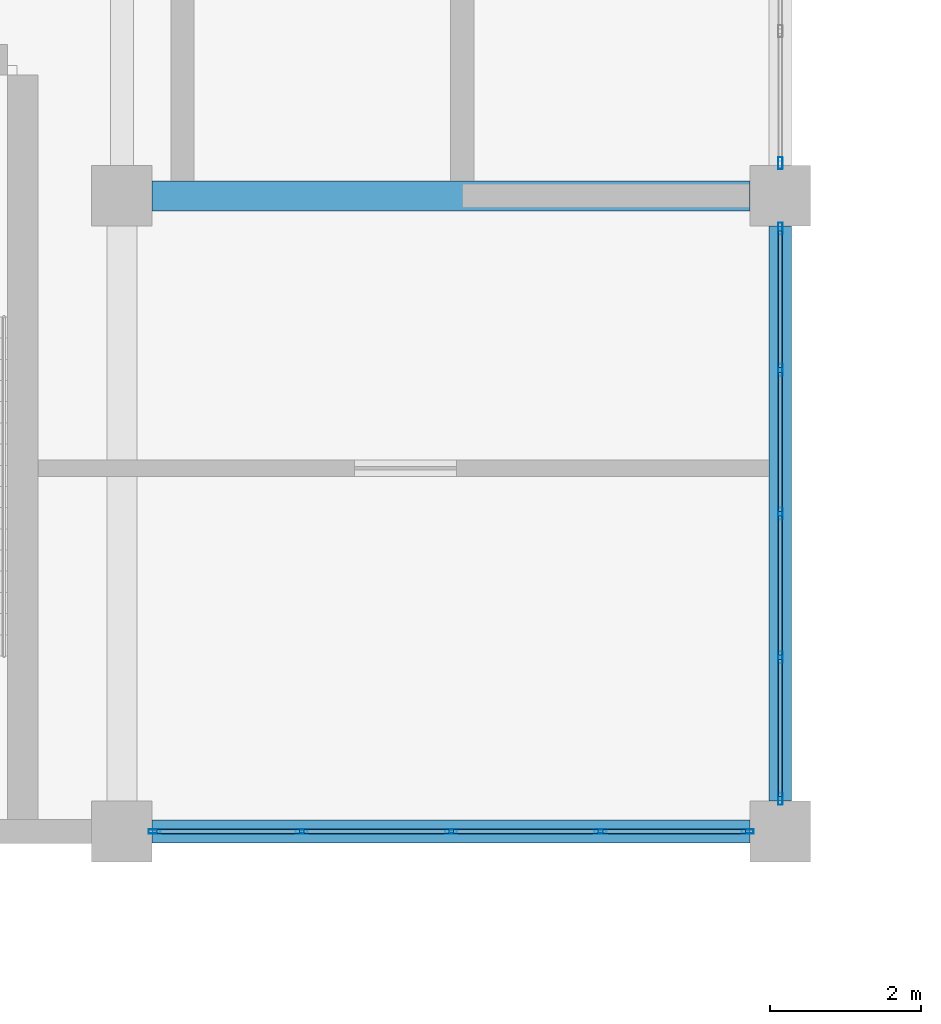
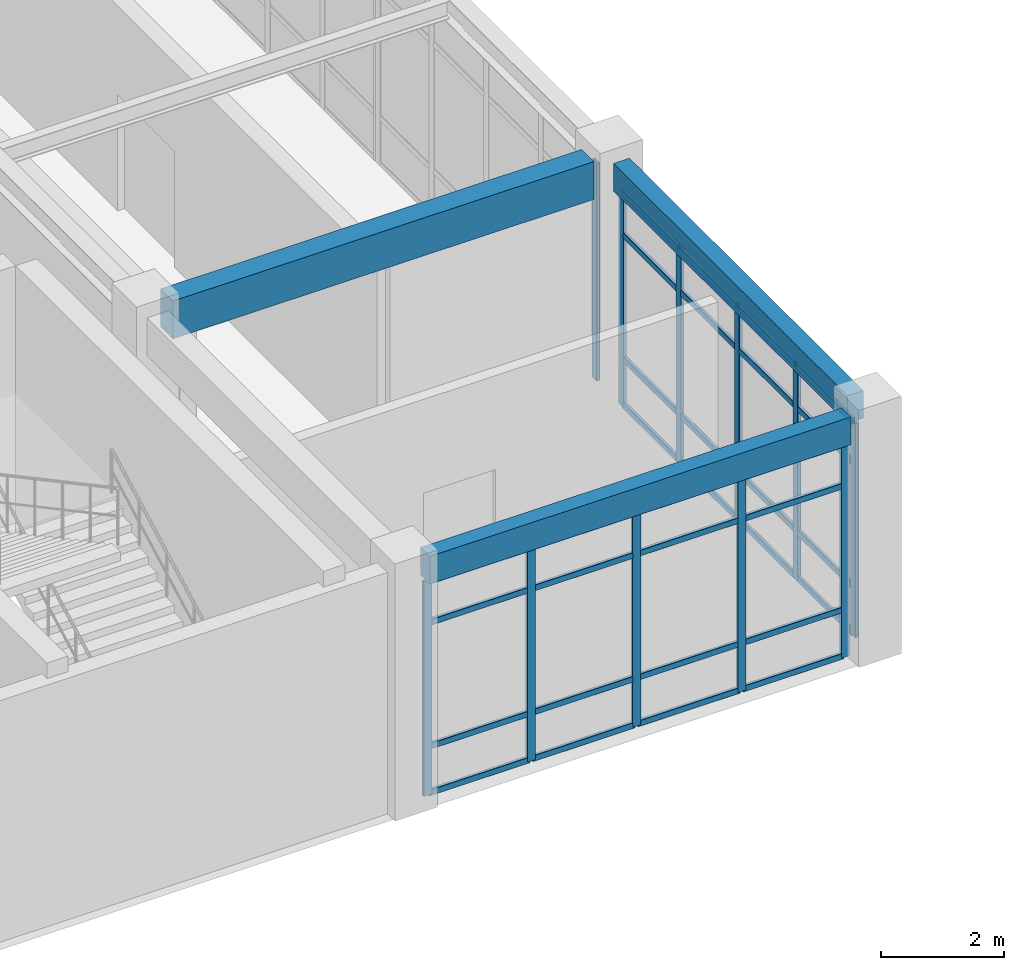
# One storey, part 40 of 96: 43 members, 3 beams, 3 elements without a shape of their own.
"""IFC4 building model written with IfcOpenShell, lengths in metres."""

from ifc_helpers import new_model, si_unit, derived_unit, direction, frame, origin, origin_2d, place, context, subcontext, project, spatial, rectangle, hollow_rectangle, extrude, material, layer, layer_set, material_profile, profile_set, type_object, element, aggregate, save


model = new_model("IFC4")

# Units and contexts
model_context = context("Model", 3, precision=1e-05, world=origin(), true_north=direction((0.0, 1.0)))
body_context = subcontext(model_context, "Body", "Model", "MODEL_VIEW")
ifc_project = project(units=[si_unit("LENGTHUNIT", "METRE"), si_unit("AREAUNIT", "SQUARE_METRE"), si_unit("VOLUMEUNIT", "CUBIC_METRE"), si_unit("PLANEANGLEUNIT", "RADIAN"), si_unit("MASSUNIT", "GRAM", prefix="KILO"), derived_unit("THERMALTRANSMITTANCEUNIT", [(si_unit("MASSUNIT", "GRAM", prefix="KILO"), 1), (si_unit("TIMEUNIT", "SECOND"), -3), (si_unit("THERMODYNAMICTEMPERATUREUNIT", "KELVIN"), -1)])], contexts=[model_context])

# Site, building, storey
site_placement = place(None, origin())
site = spatial("IfcSite", under=ifc_project, at=site_placement, CompositionType="ELEMENT")
building_placement = place(site_placement, origin())
building = spatial("IfcBuilding", under=site, at=building_placement, Name="Qinzheling Arcade Emporium", CompositionType="ELEMENT")
storey_placement = place(building_placement, frame((0.0, 0.0, 21.60009765625)))
storey = spatial("IfcBuildingStorey", under=building, at=storey_placement, Name="L05", CompositionType="ELEMENT", Elevation=21.60009765625)

# Curtain wall, member
ifc_material_1 = material(Name="Anodised aluminium and solar-control double glazing", Category="aluminium")
ifc_layer = layer(ifc_material_1, 0.159912109375, Name="Anodised aluminium and solar-control double glazing", Category="aluminium")
ifc_layer_set = layer_set([ifc_layer], Name="Anodised aluminium and solar-control double glazing")
curtain_wall_type = type_object("IfcCurtainWallType", Name="Atrium Clerestory Curtain Wall", PredefinedType="NOTDEFINED", material=ifc_layer_set)
curtain_wall_1_placement = place(storey_placement, origin())
curtain_wall_1 = element("IfcCurtainWall", 1, at=curtain_wall_1_placement, inside=storey, type_object=curtain_wall_type, Name="Curtain Wall CW-L05-328", PredefinedType="NOTDEFINED")
ifc_material_2 = material(Name="Anodised aluminium 6063-T6", Category="aluminium")
ifc_material_profile_1 = material_profile(ifc_material_2, hollow_rectangle(XDim=0.06005859375, YDim=0.159912109375, WallThickness=0.00390625, InnerFilletRadius=0.00390625, OuterFilletRadius=0.008056640625, at=origin_2d()), Name="RHS 160x60x4", Category="aluminium")
ifc_profile_set_1 = profile_set([ifc_material_profile_1], Name="Anodised aluminium 6063-T6")
member_type_1 = type_object("IfcMemberType", Name="Curtain Wall Mullion RHS160x60", PredefinedType="MULLION", material=ifc_profile_set_1)
member_1_placement = place(storey_placement, frame((104.39990234375, 50.83203125, 0.0), z_axis=(0.0, 0.0, 1.0), x_axis=(1.0, 0.0, 0.0)))
member_1 = element("IfcMember", 2, at=member_1_placement, type_object=member_type_1, Name="CW03 mullion 5", PredefinedType="MULLION", context=body_context, shape_type="SweptSolid", body=[
    extrude(hollow_rectangle(XDim=0.06005859375, YDim=0.159912109375, WallThickness=0.00390625, InnerFilletRadius=0.00390625, OuterFilletRadius=0.008056640625, at=origin_2d()), origin(), (0.0, 0.0, 1.0), 4.31689453125),
])
aggregate(curtain_wall_1, [member_1])

# Curtain wall, members
curtain_wall_2_placement = place(storey_placement, origin())
curtain_wall_2 = element("IfcCurtainWall", 3, at=curtain_wall_2_placement, inside=storey, type_object=curtain_wall_type, Name="Curtain Wall CW-L05-329", PredefinedType="NOTDEFINED")
member_2_placement = place(storey_placement, frame((104.39990234375, 49.968017578125, 0.0), z_axis=(0.0, 0.0, 1.0), x_axis=(1.0, 0.0, 0.0)))
member_2 = element("IfcMember", 4, at=member_2_placement, type_object=member_type_1, Name="CW03 mullion 1", PredefinedType="MULLION", context=body_context, shape_type="SweptSolid", body=[
    extrude(hollow_rectangle(XDim=0.06005859375, YDim=0.159912109375, WallThickness=0.00390625, InnerFilletRadius=0.00390625, OuterFilletRadius=0.008056640625, at=origin_2d()), origin(), (0.0, 0.0, 1.0), 4.2548828125),
])
member_3_placement = place(storey_placement, frame((104.39990234375, 48.09912109375, 0.0), z_axis=(0.0, 0.0, 1.0), x_axis=(1.0, 0.0, 0.0)))
member_3 = element("IfcMember", 5, at=member_3_placement, type_object=member_type_1, Name="CW03 mullion 2", PredefinedType="MULLION", context=body_context, shape_type="SweptSolid", body=[
    extrude(hollow_rectangle(XDim=0.06005859375, YDim=0.159912109375, WallThickness=0.00390625, InnerFilletRadius=0.00390625, OuterFilletRadius=0.008056640625, at=origin_2d()), origin(), (0.0, 0.0, 1.0), 4.2548828125),
])
member_4_placement = place(storey_placement, frame((104.39990234375, 46.199951171875, 0.0), z_axis=(0.0, 0.0, 1.0), x_axis=(1.0, 0.0, 0.0)))
member_4 = element("IfcMember", 6, at=member_4_placement, type_object=member_type_1, Name="CW03 mullion 3", PredefinedType="MULLION", context=body_context, shape_type="SweptSolid", body=[
    extrude(hollow_rectangle(XDim=0.06005859375, YDim=0.159912109375, WallThickness=0.00390625, InnerFilletRadius=0.00390625, OuterFilletRadius=0.008056640625, at=origin_2d()), origin(), (0.0, 0.0, 1.0), 4.2548828125),
])
member_5_placement = place(storey_placement, frame((104.39990234375, 44.301025390625, 0.0), z_axis=(0.0, 0.0, 1.0), x_axis=(1.0, 0.0, 0.0)))
member_5 = element("IfcMember", 7, at=member_5_placement, type_object=member_type_1, Name="CW03 mullion 4", PredefinedType="MULLION", context=body_context, shape_type="SweptSolid", body=[
    extrude(hollow_rectangle(XDim=0.06005859375, YDim=0.159912109375, WallThickness=0.00390625, InnerFilletRadius=0.00390625, OuterFilletRadius=0.008056640625, at=origin_2d()), origin(), (0.0, 0.0, 1.0), 4.2548828125),
])
member_6_placement = place(storey_placement, frame((104.39990234375, 42.431884765625, 0.0), z_axis=(0.0, 0.0, 1.0), x_axis=(1.0, 0.0, 0.0)))
member_6 = element("IfcMember", 8, at=member_6_placement, type_object=member_type_1, Name="CW03 mullion 5", PredefinedType="MULLION", context=body_context, shape_type="SweptSolid", body=[
    extrude(hollow_rectangle(XDim=0.06005859375, YDim=0.159912109375, WallThickness=0.00390625, InnerFilletRadius=0.00390625, OuterFilletRadius=0.008056640625, at=origin_2d()), origin(), (0.0, 0.0, 1.0), 4.2548828125),
])

curtain_wall_3_placement = place(storey_placement, origin())
curtain_wall_3 = element("IfcCurtainWall", 9, at=curtain_wall_3_placement, inside=storey, type_object=curtain_wall_type, Name="Curtain Wall CW-L05-330", PredefinedType="NOTDEFINED")
member_7_placement = place(storey_placement, frame((103.968017578125, 42.0, 0.0), z_axis=(0.0, 0.0, 1.0), x_axis=(0.0, -1.0, 0.0)))
member_7 = element("IfcMember", 10, at=member_7_placement, type_object=member_type_1, Name="CW03 mullion 1", PredefinedType="MULLION", context=body_context, shape_type="SweptSolid", body=[
    extrude(hollow_rectangle(XDim=0.06005859375, YDim=0.159912109375, WallThickness=0.00390625, InnerFilletRadius=0.00390625, OuterFilletRadius=0.008056640625, at=origin_2d()), origin(), (0.0, 0.0, 1.0), 4.2548828125),
])
member_8_placement = place(storey_placement, frame((102.02392578125, 42.0, 0.0), z_axis=(0.0, 0.0, 1.0), x_axis=(0.0, -1.0, 0.0)))
member_8 = element("IfcMember", 11, at=member_8_placement, type_object=member_type_1, Name="CW03 mullion 2", PredefinedType="MULLION", context=body_context, shape_type="SweptSolid", body=[
    extrude(hollow_rectangle(XDim=0.06005859375, YDim=0.159912109375, WallThickness=0.00390625, InnerFilletRadius=0.00390625, OuterFilletRadius=0.008056640625, at=origin_2d()), origin(), (0.0, 0.0, 1.0), 4.2548828125),
])
member_9_placement = place(storey_placement, frame((100.050048828125, 42.0, 0.0), z_axis=(0.0, 0.0, 1.0), x_axis=(0.0, -1.0, 0.0)))
member_9 = element("IfcMember", 12, at=member_9_placement, type_object=member_type_1, Name="CW03 mullion 3", PredefinedType="MULLION", context=body_context, shape_type="SweptSolid", body=[
    extrude(hollow_rectangle(XDim=0.06005859375, YDim=0.159912109375, WallThickness=0.00390625, InnerFilletRadius=0.00390625, OuterFilletRadius=0.008056640625, at=origin_2d()), origin(), (0.0, 0.0, 1.0), 4.2548828125),
])
member_10_placement = place(storey_placement, frame((98.075927734375, 42.0, 0.0), z_axis=(0.0, 0.0, 1.0), x_axis=(0.0, -1.0, 0.0)))
member_10 = element("IfcMember", 13, at=member_10_placement, type_object=member_type_1, Name="CW03 mullion 4", PredefinedType="MULLION", context=body_context, shape_type="SweptSolid", body=[
    extrude(hollow_rectangle(XDim=0.06005859375, YDim=0.159912109375, WallThickness=0.00390625, InnerFilletRadius=0.00390625, OuterFilletRadius=0.008056640625, at=origin_2d()), origin(), (0.0, 0.0, 1.0), 4.2548828125),
])
member_11_placement = place(storey_placement, frame((96.132080078125, 42.0, 0.0), z_axis=(0.0, 0.0, 1.0), x_axis=(0.0, -1.0, 0.0)))
member_11 = element("IfcMember", 14, at=member_11_placement, type_object=member_type_1, Name="CW03 mullion 5", PredefinedType="MULLION", context=body_context, shape_type="SweptSolid", body=[
    extrude(hollow_rectangle(XDim=0.06005859375, YDim=0.159912109375, WallThickness=0.00390625, InnerFilletRadius=0.00390625, OuterFilletRadius=0.008056640625, at=origin_2d()), origin(), (0.0, 0.0, 1.0), 4.2548828125),
])

# Member
ifc_material_profile_2 = material_profile(ifc_material_2, hollow_rectangle(XDim=0.06005859375, YDim=0.1201171875, WallThickness=0.00390625, InnerFilletRadius=0.00390625, OuterFilletRadius=0.008056640625, at=origin_2d()), Name="RHS 120x60x4", Category="aluminium")
ifc_profile_set_2 = profile_set([ifc_material_profile_2], Name="Anodised aluminium 6063-T6")
member_type_2 = type_object("IfcMemberType", Name="Curtain Wall Transom RHS120x60", PredefinedType="USERDEFINED", material=ifc_profile_set_2)
member_12_placement = place(storey_placement, frame((104.39990234375, 49.93798828125, 0.02978515625), z_axis=(0.0, -1.0, 0.0), x_axis=(1.0, 0.0, 0.0)))
member_12 = element("IfcMember", 15, at=member_12_placement, type_object=member_type_2, Name="CW03 transom 1.1", ObjectType="TRANSOM", PredefinedType="USERDEFINED", context=body_context, shape_type="SweptSolid", body=[
    extrude(hollow_rectangle(XDim=0.06005859375, YDim=0.1201171875, WallThickness=0.00390625, InnerFilletRadius=0.00390625, OuterFilletRadius=0.008056640625, at=origin_2d()), origin(), (0.0, 0.0, 1.0), 1.80908203125),
])

member_13_placement = place(storey_placement, frame((104.39990234375, 49.93798828125, 0.949951171875), z_axis=(0.0, -1.0, 0.0), x_axis=(1.0, 0.0, 0.0)))
member_13 = element("IfcMember", 16, at=member_13_placement, type_object=member_type_2, Name="CW03 transom 1.2", ObjectType="TRANSOM", PredefinedType="USERDEFINED", context=body_context, shape_type="SweptSolid", body=[
    extrude(hollow_rectangle(XDim=0.06005859375, YDim=0.1201171875, WallThickness=0.00390625, InnerFilletRadius=0.00390625, OuterFilletRadius=0.008056640625, at=origin_2d()), origin(), (0.0, 0.0, 1.0), 1.80908203125),
])

member_14_placement = place(storey_placement, frame((104.39990234375, 49.93798828125, 3.40478515625), z_axis=(0.0, -1.0, 0.0), x_axis=(1.0, 0.0, 0.0)))
member_14 = element("IfcMember", 17, at=member_14_placement, type_object=member_type_2, Name="CW03 transom 1.3", ObjectType="TRANSOM", PredefinedType="USERDEFINED", context=body_context, shape_type="SweptSolid", body=[
    extrude(hollow_rectangle(XDim=0.06005859375, YDim=0.1201171875, WallThickness=0.00390625, InnerFilletRadius=0.00390625, OuterFilletRadius=0.008056640625, at=origin_2d()), origin(), (0.0, 0.0, 1.0), 1.80908203125),
])

member_15_placement = place(storey_placement, frame((104.39990234375, 49.93798828125, 4.224853515625), z_axis=(0.0, -1.0, 0.0), x_axis=(1.0, 0.0, 0.0)))
member_15 = element("IfcMember", 18, at=member_15_placement, type_object=member_type_2, Name="CW03 transom 1.4", ObjectType="TRANSOM", PredefinedType="USERDEFINED", context=body_context, shape_type="SweptSolid", body=[
    extrude(hollow_rectangle(XDim=0.06005859375, YDim=0.1201171875, WallThickness=0.00390625, InnerFilletRadius=0.00390625, OuterFilletRadius=0.008056640625, at=origin_2d()), origin(), (0.0, 0.0, 1.0), 1.80908203125),
])

member_16_placement = place(storey_placement, frame((104.39990234375, 48.069091796875, 0.02978515625), z_axis=(0.0, -1.0, 0.0), x_axis=(1.0, 0.0, 0.0)))
member_16 = element("IfcMember", 19, at=member_16_placement, type_object=member_type_2, Name="CW03 transom 2.1", ObjectType="TRANSOM", PredefinedType="USERDEFINED", context=body_context, shape_type="SweptSolid", body=[
    extrude(hollow_rectangle(XDim=0.06005859375, YDim=0.1201171875, WallThickness=0.00390625, InnerFilletRadius=0.00390625, OuterFilletRadius=0.008056640625, at=origin_2d()), origin(), (0.0, 0.0, 1.0), 1.839111328125),
])

member_17_placement = place(storey_placement, frame((104.39990234375, 48.069091796875, 0.949951171875), z_axis=(0.0, -1.0, 0.0), x_axis=(1.0, 0.0, 0.0)))
member_17 = element("IfcMember", 20, at=member_17_placement, type_object=member_type_2, Name="CW03 transom 2.2", ObjectType="TRANSOM", PredefinedType="USERDEFINED", context=body_context, shape_type="SweptSolid", body=[
    extrude(hollow_rectangle(XDim=0.06005859375, YDim=0.1201171875, WallThickness=0.00390625, InnerFilletRadius=0.00390625, OuterFilletRadius=0.008056640625, at=origin_2d()), origin(), (0.0, 0.0, 1.0), 1.839111328125),
])

member_18_placement = place(storey_placement, frame((104.39990234375, 48.069091796875, 3.40478515625), z_axis=(0.0, -1.0, 0.0), x_axis=(1.0, 0.0, 0.0)))
member_18 = element("IfcMember", 21, at=member_18_placement, type_object=member_type_2, Name="CW03 transom 2.3", ObjectType="TRANSOM", PredefinedType="USERDEFINED", context=body_context, shape_type="SweptSolid", body=[
    extrude(hollow_rectangle(XDim=0.06005859375, YDim=0.1201171875, WallThickness=0.00390625, InnerFilletRadius=0.00390625, OuterFilletRadius=0.008056640625, at=origin_2d()), origin(), (0.0, 0.0, 1.0), 1.839111328125),
])

member_19_placement = place(storey_placement, frame((104.39990234375, 48.069091796875, 4.224853515625), z_axis=(0.0, -1.0, 0.0), x_axis=(1.0, 0.0, 0.0)))
member_19 = element("IfcMember", 22, at=member_19_placement, type_object=member_type_2, Name="CW03 transom 2.4", ObjectType="TRANSOM", PredefinedType="USERDEFINED", context=body_context, shape_type="SweptSolid", body=[
    extrude(hollow_rectangle(XDim=0.06005859375, YDim=0.1201171875, WallThickness=0.00390625, InnerFilletRadius=0.00390625, OuterFilletRadius=0.008056640625, at=origin_2d()), origin(), (0.0, 0.0, 1.0), 1.839111328125),
])

member_20_placement = place(storey_placement, frame((104.39990234375, 46.169921875, 0.02978515625), z_axis=(0.0, -1.0, 0.0), x_axis=(1.0, 0.0, 0.0)))
member_20 = element("IfcMember", 23, at=member_20_placement, type_object=member_type_2, Name="CW03 transom 3.1", ObjectType="TRANSOM", PredefinedType="USERDEFINED", context=body_context, shape_type="SweptSolid", body=[
    extrude(hollow_rectangle(XDim=0.06005859375, YDim=0.1201171875, WallThickness=0.00390625, InnerFilletRadius=0.00390625, OuterFilletRadius=0.008056640625, at=origin_2d()), origin(), (0.0, 0.0, 1.0), 1.8388671875),
])

member_21_placement = place(storey_placement, frame((104.39990234375, 46.169921875, 0.949951171875), z_axis=(0.0, -1.0, 0.0), x_axis=(1.0, 0.0, 0.0)))
member_21 = element("IfcMember", 24, at=member_21_placement, type_object=member_type_2, Name="CW03 transom 3.2", ObjectType="TRANSOM", PredefinedType="USERDEFINED", context=body_context, shape_type="SweptSolid", body=[
    extrude(hollow_rectangle(XDim=0.06005859375, YDim=0.1201171875, WallThickness=0.00390625, InnerFilletRadius=0.00390625, OuterFilletRadius=0.008056640625, at=origin_2d()), origin(), (0.0, 0.0, 1.0), 1.8388671875),
])

member_22_placement = place(storey_placement, frame((104.39990234375, 46.169921875, 3.40478515625), z_axis=(0.0, -1.0, 0.0), x_axis=(1.0, 0.0, 0.0)))
member_22 = element("IfcMember", 25, at=member_22_placement, type_object=member_type_2, Name="CW03 transom 3.3", ObjectType="TRANSOM", PredefinedType="USERDEFINED", context=body_context, shape_type="SweptSolid", body=[
    extrude(hollow_rectangle(XDim=0.06005859375, YDim=0.1201171875, WallThickness=0.00390625, InnerFilletRadius=0.00390625, OuterFilletRadius=0.008056640625, at=origin_2d()), origin(), (0.0, 0.0, 1.0), 1.8388671875),
])

member_23_placement = place(storey_placement, frame((104.39990234375, 46.169921875, 4.224853515625), z_axis=(0.0, -1.0, 0.0), x_axis=(1.0, 0.0, 0.0)))
member_23 = element("IfcMember", 26, at=member_23_placement, type_object=member_type_2, Name="CW03 transom 3.4", ObjectType="TRANSOM", PredefinedType="USERDEFINED", context=body_context, shape_type="SweptSolid", body=[
    extrude(hollow_rectangle(XDim=0.06005859375, YDim=0.1201171875, WallThickness=0.00390625, InnerFilletRadius=0.00390625, OuterFilletRadius=0.008056640625, at=origin_2d()), origin(), (0.0, 0.0, 1.0), 1.8388671875),
])

member_24_placement = place(storey_placement, frame((104.39990234375, 44.27099609375, 0.02978515625), z_axis=(0.0, -1.0, 0.0), x_axis=(1.0, 0.0, 0.0)))
member_24 = element("IfcMember", 27, at=member_24_placement, type_object=member_type_2, Name="CW03 transom 4.1", ObjectType="TRANSOM", PredefinedType="USERDEFINED", context=body_context, shape_type="SweptSolid", body=[
    extrude(hollow_rectangle(XDim=0.06005859375, YDim=0.1201171875, WallThickness=0.00390625, InnerFilletRadius=0.00390625, OuterFilletRadius=0.008056640625, at=origin_2d()), origin(), (0.0, 0.0, 1.0), 1.80908203125),
])

member_25_placement = place(storey_placement, frame((104.39990234375, 44.27099609375, 0.949951171875), z_axis=(0.0, -1.0, 0.0), x_axis=(1.0, 0.0, 0.0)))
member_25 = element("IfcMember", 28, at=member_25_placement, type_object=member_type_2, Name="CW03 transom 4.2", ObjectType="TRANSOM", PredefinedType="USERDEFINED", context=body_context, shape_type="SweptSolid", body=[
    extrude(hollow_rectangle(XDim=0.06005859375, YDim=0.1201171875, WallThickness=0.00390625, InnerFilletRadius=0.00390625, OuterFilletRadius=0.008056640625, at=origin_2d()), origin(), (0.0, 0.0, 1.0), 1.80908203125),
])

member_26_placement = place(storey_placement, frame((104.39990234375, 44.27099609375, 3.40478515625), z_axis=(0.0, -1.0, 0.0), x_axis=(1.0, 0.0, 0.0)))
member_26 = element("IfcMember", 29, at=member_26_placement, type_object=member_type_2, Name="CW03 transom 4.3", ObjectType="TRANSOM", PredefinedType="USERDEFINED", context=body_context, shape_type="SweptSolid", body=[
    extrude(hollow_rectangle(XDim=0.06005859375, YDim=0.1201171875, WallThickness=0.00390625, InnerFilletRadius=0.00390625, OuterFilletRadius=0.008056640625, at=origin_2d()), origin(), (0.0, 0.0, 1.0), 1.80908203125),
])

member_27_placement = place(storey_placement, frame((104.39990234375, 44.27099609375, 4.224853515625), z_axis=(0.0, -1.0, 0.0), x_axis=(1.0, 0.0, 0.0)))
member_27 = element("IfcMember", 30, at=member_27_placement, type_object=member_type_2, Name="CW03 transom 4.4", ObjectType="TRANSOM", PredefinedType="USERDEFINED", context=body_context, shape_type="SweptSolid", body=[
    extrude(hollow_rectangle(XDim=0.06005859375, YDim=0.1201171875, WallThickness=0.00390625, InnerFilletRadius=0.00390625, OuterFilletRadius=0.008056640625, at=origin_2d()), origin(), (0.0, 0.0, 1.0), 1.80908203125),
])

aggregate(curtain_wall_2, [member_2, member_3, member_4, member_5, member_6, member_12, member_13, member_14, member_15, member_16, member_17, member_18, member_19, member_20, member_21, member_22, member_23, member_24, member_25, member_26, member_27])

member_28_placement = place(storey_placement, frame((103.93798828125, 42.0, 0.02978515625), z_axis=(-1.0, 0.0, 0.0), x_axis=(0.0, -1.0, 0.0)))
member_28 = element("IfcMember", 31, at=member_28_placement, type_object=member_type_2, Name="CW03 transom 1.1", ObjectType="TRANSOM", PredefinedType="USERDEFINED", context=body_context, shape_type="SweptSolid", body=[
    extrude(hollow_rectangle(XDim=0.06005859375, YDim=0.1201171875, WallThickness=0.00390625, InnerFilletRadius=0.00390625, OuterFilletRadius=0.008056640625, at=origin_2d()), origin(), (0.0, 0.0, 1.0), 1.884033203125),
])

member_29_placement = place(storey_placement, frame((103.93798828125, 42.0, 0.949951171875), z_axis=(-1.0, 0.0, 0.0), x_axis=(0.0, -1.0, 0.0)))
member_29 = element("IfcMember", 32, at=member_29_placement, type_object=member_type_2, Name="CW03 transom 1.2", ObjectType="TRANSOM", PredefinedType="USERDEFINED", context=body_context, shape_type="SweptSolid", body=[
    extrude(hollow_rectangle(XDim=0.06005859375, YDim=0.1201171875, WallThickness=0.00390625, InnerFilletRadius=0.00390625, OuterFilletRadius=0.008056640625, at=origin_2d()), origin(), (0.0, 0.0, 1.0), 1.884033203125),
])

member_30_placement = place(storey_placement, frame((103.93798828125, 42.0, 3.40478515625), z_axis=(-1.0, 0.0, 0.0), x_axis=(0.0, -1.0, 0.0)))
member_30 = element("IfcMember", 33, at=member_30_placement, type_object=member_type_2, Name="CW03 transom 1.3", ObjectType="TRANSOM", PredefinedType="USERDEFINED", context=body_context, shape_type="SweptSolid", body=[
    extrude(hollow_rectangle(XDim=0.06005859375, YDim=0.1201171875, WallThickness=0.00390625, InnerFilletRadius=0.00390625, OuterFilletRadius=0.008056640625, at=origin_2d()), origin(), (0.0, 0.0, 1.0), 1.884033203125),
])

member_31_placement = place(storey_placement, frame((103.93798828125, 42.0, 4.224853515625), z_axis=(-1.0, 0.0, 0.0), x_axis=(0.0, -1.0, 0.0)))
member_31 = element("IfcMember", 34, at=member_31_placement, type_object=member_type_2, Name="CW03 transom 1.4", ObjectType="TRANSOM", PredefinedType="USERDEFINED", context=body_context, shape_type="SweptSolid", body=[
    extrude(hollow_rectangle(XDim=0.06005859375, YDim=0.1201171875, WallThickness=0.00390625, InnerFilletRadius=0.00390625, OuterFilletRadius=0.008056640625, at=origin_2d()), origin(), (0.0, 0.0, 1.0), 1.884033203125),
])

member_32_placement = place(storey_placement, frame((101.993896484375, 42.0, 0.02978515625), z_axis=(-1.0, 0.0, 0.0), x_axis=(0.0, -1.0, 0.0)))
member_32 = element("IfcMember", 35, at=member_32_placement, type_object=member_type_2, Name="CW03 transom 2.1", ObjectType="TRANSOM", PredefinedType="USERDEFINED", context=body_context, shape_type="SweptSolid", body=[
    extrude(hollow_rectangle(XDim=0.06005859375, YDim=0.1201171875, WallThickness=0.00390625, InnerFilletRadius=0.00390625, OuterFilletRadius=0.008056640625, at=origin_2d()), origin(), (0.0, 0.0, 1.0), 1.913818359375),
])

member_33_placement = place(storey_placement, frame((101.993896484375, 42.0, 0.949951171875), z_axis=(-1.0, 0.0, 0.0), x_axis=(0.0, -1.0, 0.0)))
member_33 = element("IfcMember", 36, at=member_33_placement, type_object=member_type_2, Name="CW03 transom 2.2", ObjectType="TRANSOM", PredefinedType="USERDEFINED", context=body_context, shape_type="SweptSolid", body=[
    extrude(hollow_rectangle(XDim=0.06005859375, YDim=0.1201171875, WallThickness=0.00390625, InnerFilletRadius=0.00390625, OuterFilletRadius=0.008056640625, at=origin_2d()), origin(), (0.0, 0.0, 1.0), 1.913818359375),
])

member_34_placement = place(storey_placement, frame((101.993896484375, 42.0, 3.40478515625), z_axis=(-1.0, 0.0, 0.0), x_axis=(0.0, -1.0, 0.0)))
member_34 = element("IfcMember", 37, at=member_34_placement, type_object=member_type_2, Name="CW03 transom 2.3", ObjectType="TRANSOM", PredefinedType="USERDEFINED", context=body_context, shape_type="SweptSolid", body=[
    extrude(hollow_rectangle(XDim=0.06005859375, YDim=0.1201171875, WallThickness=0.00390625, InnerFilletRadius=0.00390625, OuterFilletRadius=0.008056640625, at=origin_2d()), origin(), (0.0, 0.0, 1.0), 1.913818359375),
])

member_35_placement = place(storey_placement, frame((101.993896484375, 42.0, 4.224853515625), z_axis=(-1.0, 0.0, 0.0), x_axis=(0.0, -1.0, 0.0)))
member_35 = element("IfcMember", 38, at=member_35_placement, type_object=member_type_2, Name="CW03 transom 2.4", ObjectType="TRANSOM", PredefinedType="USERDEFINED", context=body_context, shape_type="SweptSolid", body=[
    extrude(hollow_rectangle(XDim=0.06005859375, YDim=0.1201171875, WallThickness=0.00390625, InnerFilletRadius=0.00390625, OuterFilletRadius=0.008056640625, at=origin_2d()), origin(), (0.0, 0.0, 1.0), 1.913818359375),
])

member_36_placement = place(storey_placement, frame((100.02001953125, 42.0, 0.02978515625), z_axis=(-1.0, 0.0, 0.0), x_axis=(0.0, -1.0, 0.0)))
member_36 = element("IfcMember", 39, at=member_36_placement, type_object=member_type_2, Name="CW03 transom 3.1", ObjectType="TRANSOM", PredefinedType="USERDEFINED", context=body_context, shape_type="SweptSolid", body=[
    extrude(hollow_rectangle(XDim=0.06005859375, YDim=0.1201171875, WallThickness=0.00390625, InnerFilletRadius=0.00390625, OuterFilletRadius=0.008056640625, at=origin_2d()), origin(), (0.0, 0.0, 1.0), 1.9140625),
])

member_37_placement = place(storey_placement, frame((100.02001953125, 42.0, 0.949951171875), z_axis=(-1.0, 0.0, 0.0), x_axis=(0.0, -1.0, 0.0)))
member_37 = element("IfcMember", 40, at=member_37_placement, type_object=member_type_2, Name="CW03 transom 3.2", ObjectType="TRANSOM", PredefinedType="USERDEFINED", context=body_context, shape_type="SweptSolid", body=[
    extrude(hollow_rectangle(XDim=0.06005859375, YDim=0.1201171875, WallThickness=0.00390625, InnerFilletRadius=0.00390625, OuterFilletRadius=0.008056640625, at=origin_2d()), origin(), (0.0, 0.0, 1.0), 1.9140625),
])

member_38_placement = place(storey_placement, frame((100.02001953125, 42.0, 3.40478515625), z_axis=(-1.0, 0.0, 0.0), x_axis=(0.0, -1.0, 0.0)))
member_38 = element("IfcMember", 41, at=member_38_placement, type_object=member_type_2, Name="CW03 transom 3.3", ObjectType="TRANSOM", PredefinedType="USERDEFINED", context=body_context, shape_type="SweptSolid", body=[
    extrude(hollow_rectangle(XDim=0.06005859375, YDim=0.1201171875, WallThickness=0.00390625, InnerFilletRadius=0.00390625, OuterFilletRadius=0.008056640625, at=origin_2d()), origin(), (0.0, 0.0, 1.0), 1.9140625),
])

member_39_placement = place(storey_placement, frame((100.02001953125, 42.0, 4.224853515625), z_axis=(-1.0, 0.0, 0.0), x_axis=(0.0, -1.0, 0.0)))
member_39 = element("IfcMember", 42, at=member_39_placement, type_object=member_type_2, Name="CW03 transom 3.4", ObjectType="TRANSOM", PredefinedType="USERDEFINED", context=body_context, shape_type="SweptSolid", body=[
    extrude(hollow_rectangle(XDim=0.06005859375, YDim=0.1201171875, WallThickness=0.00390625, InnerFilletRadius=0.00390625, OuterFilletRadius=0.008056640625, at=origin_2d()), origin(), (0.0, 0.0, 1.0), 1.9140625),
])

member_40_placement = place(storey_placement, frame((98.0458984375, 42.0, 0.02978515625), z_axis=(-1.0, 0.0, 0.0), x_axis=(0.0, -1.0, 0.0)))
member_40 = element("IfcMember", 43, at=member_40_placement, type_object=member_type_2, Name="CW03 transom 4.1", ObjectType="TRANSOM", PredefinedType="USERDEFINED", context=body_context, shape_type="SweptSolid", body=[
    extrude(hollow_rectangle(XDim=0.06005859375, YDim=0.1201171875, WallThickness=0.00390625, InnerFilletRadius=0.00390625, OuterFilletRadius=0.008056640625, at=origin_2d()), origin(), (0.0, 0.0, 1.0), 1.8837890625),
])

member_41_placement = place(storey_placement, frame((98.0458984375, 42.0, 0.949951171875), z_axis=(-1.0, 0.0, 0.0), x_axis=(0.0, -1.0, 0.0)))
member_41 = element("IfcMember", 44, at=member_41_placement, type_object=member_type_2, Name="CW03 transom 4.2", ObjectType="TRANSOM", PredefinedType="USERDEFINED", context=body_context, shape_type="SweptSolid", body=[
    extrude(hollow_rectangle(XDim=0.06005859375, YDim=0.1201171875, WallThickness=0.00390625, InnerFilletRadius=0.00390625, OuterFilletRadius=0.008056640625, at=origin_2d()), origin(), (0.0, 0.0, 1.0), 1.8837890625),
])

member_42_placement = place(storey_placement, frame((98.0458984375, 42.0, 3.40478515625), z_axis=(-1.0, 0.0, 0.0), x_axis=(0.0, -1.0, 0.0)))
member_42 = element("IfcMember", 45, at=member_42_placement, type_object=member_type_2, Name="CW03 transom 4.3", ObjectType="TRANSOM", PredefinedType="USERDEFINED", context=body_context, shape_type="SweptSolid", body=[
    extrude(hollow_rectangle(XDim=0.06005859375, YDim=0.1201171875, WallThickness=0.00390625, InnerFilletRadius=0.00390625, OuterFilletRadius=0.008056640625, at=origin_2d()), origin(), (0.0, 0.0, 1.0), 1.8837890625),
])

member_43_placement = place(storey_placement, frame((98.0458984375, 42.0, 4.224853515625), z_axis=(-1.0, 0.0, 0.0), x_axis=(0.0, -1.0, 0.0)))
member_43 = element("IfcMember", 46, at=member_43_placement, type_object=member_type_2, Name="CW03 transom 4.4", ObjectType="TRANSOM", PredefinedType="USERDEFINED", context=body_context, shape_type="SweptSolid", body=[
    extrude(hollow_rectangle(XDim=0.06005859375, YDim=0.1201171875, WallThickness=0.00390625, InnerFilletRadius=0.00390625, OuterFilletRadius=0.008056640625, at=origin_2d()), origin(), (0.0, 0.0, 1.0), 1.8837890625),
])

aggregate(curtain_wall_3, [member_7, member_8, member_9, member_10, member_11, member_28, member_29, member_30, member_31, member_32, member_33, member_34, member_35, member_36, member_37, member_38, member_39, member_40, member_41, member_42, member_43])

# Beams
ifc_material_3 = material(Name="Concrete C40", Category="concrete")
ifc_material_profile_3 = material_profile(ifc_material_3, rectangle(XDim=0.39990234375, YDim=0.75, at=origin_2d()), Name="RC 400x750", Category="concrete")
ifc_profile_set_3 = profile_set([ifc_material_profile_3], Name="Concrete C40")
beam_type_1 = type_object("IfcBeamType", Name="RC Interior Tie Beam 400x750 C40", PredefinedType="BEAM", material=ifc_profile_set_3)
beam_1_placement = place(storey_placement, frame((96.10009765625, 50.39990234375, 4.44482421875), z_axis=(1.0, 0.0, 0.0), x_axis=(0.0, 1.0, 0.0)))
element("IfcBeam", 47, at=beam_1_placement, inside=storey, type_object=beam_type_1, Name="Beam BM-L05-X-G-12", PredefinedType="BEAM", context=body_context, shape_type="SweptSolid", body=[
    extrude(rectangle(XDim=0.39990234375, YDim=0.75, at=origin_2d()), origin(), (0.0, 0.0, 1.0), 7.89990234375),
])
ifc_material_profile_4 = material_profile(ifc_material_3, rectangle(XDim=0.300048828125, YDim=0.550048828125, at=origin_2d()), Name="RC 300x550", Category="concrete")
ifc_profile_set_4 = profile_set([ifc_material_profile_4], Name="Concrete C40")
beam_type_2 = type_object("IfcBeamType", Name="RC Terrace Spandrel Beam 300x550 C40", PredefinedType="SPANDREL", material=ifc_profile_set_4)
beam_2_placement = place(storey_placement, frame((96.10009765625, 42.0, 4.544921875), z_axis=(1.0, 0.0, 0.0), x_axis=(0.0, 1.0, 0.0)))
element("IfcBeam", 48, at=beam_2_placement, inside=storey, type_object=beam_type_2, Name="Beam BM-L05-X-F-12", PredefinedType="SPANDREL", context=body_context, shape_type="SweptSolid", body=[
    extrude(rectangle(XDim=0.300048828125, YDim=0.550048828125, at=origin_2d()), origin(), (0.0, 0.0, 1.0), 7.89990234375),
])
beam_3_placement = place(storey_placement, frame((104.39990234375, 42.39990234375, 4.544921875), z_axis=(0.0, 1.0, 0.0), x_axis=(-1.0, 0.0, 0.0)))
element("IfcBeam", 49, at=beam_3_placement, inside=storey, type_object=beam_type_2, Name="Beam BM-L05-Y-13-F", PredefinedType="SPANDREL", context=body_context, shape_type="SweptSolid", body=[
    extrude(rectangle(XDim=0.300048828125, YDim=0.550048828125, at=origin_2d()), origin(), (0.0, 0.0, 1.0), 7.60009765625),
])

save(model, "model.ifc")
